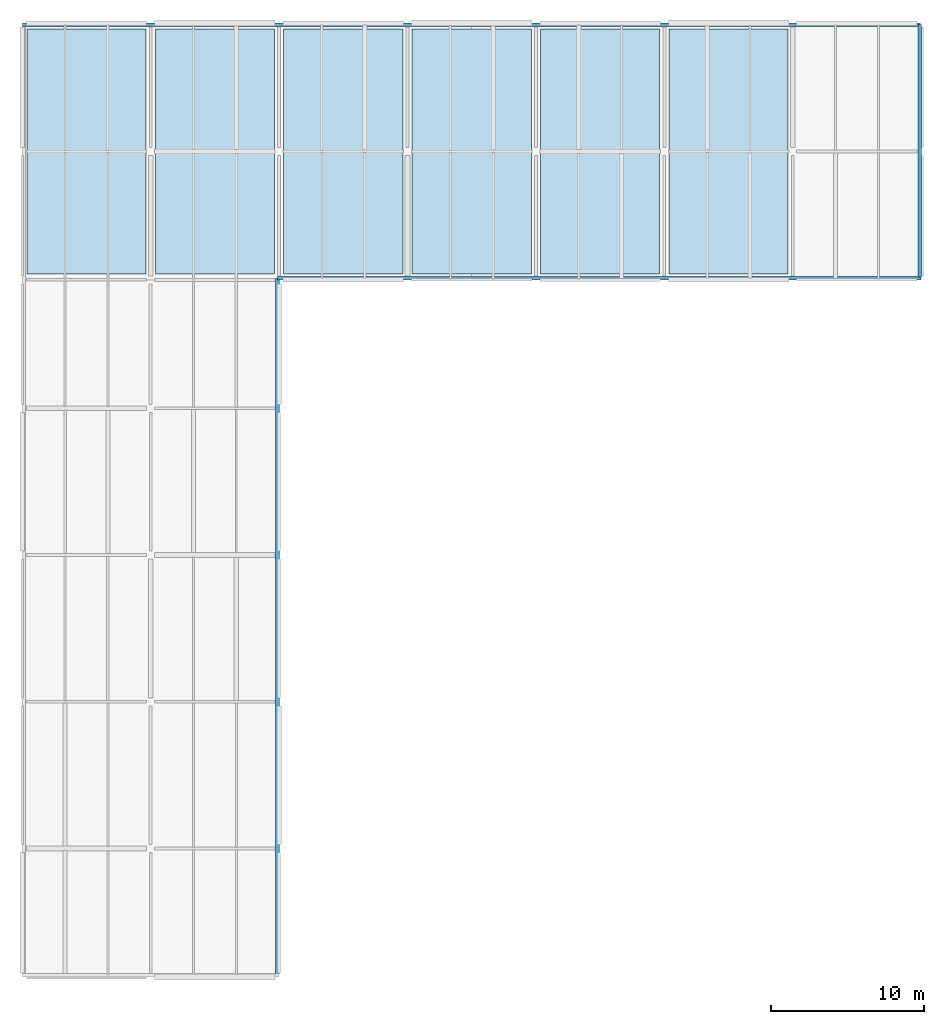
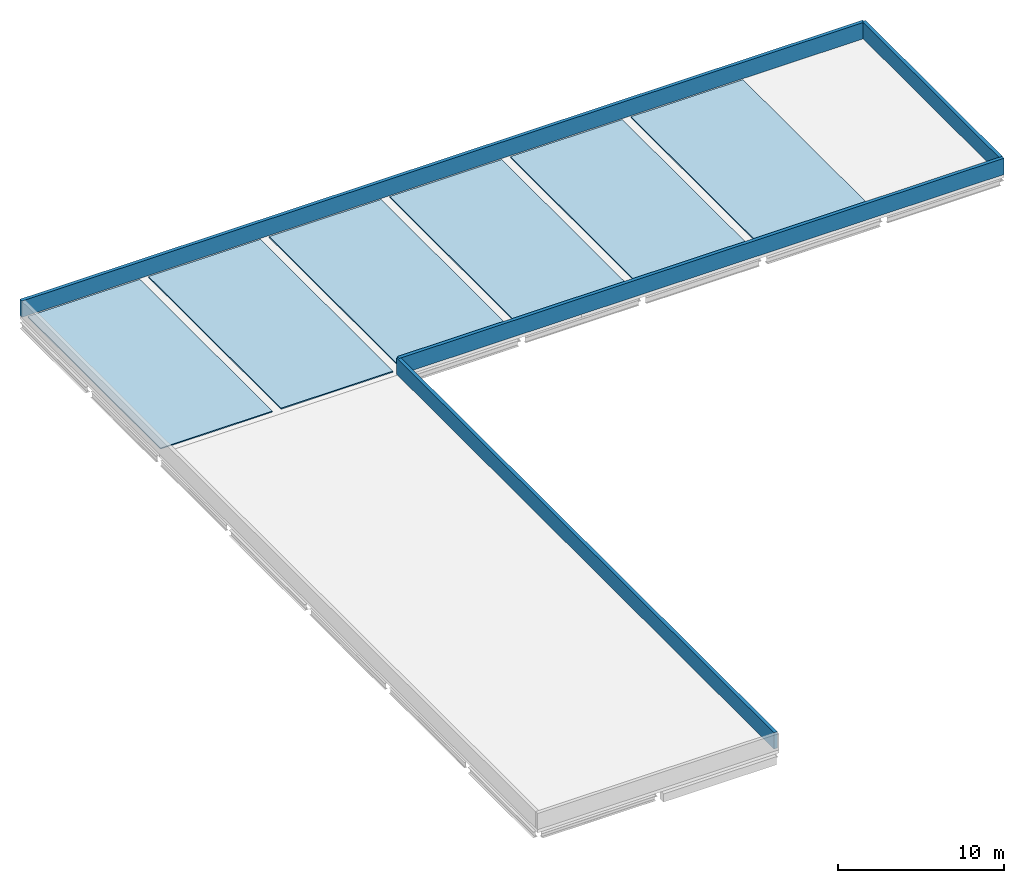
# One storey, part 3 of 3: 6 roofs, 4 walls.
"""IFC4 building model written with IfcOpenShell, lengths in metres."""

from ifc_helpers import new_model, si_unit, direction, frame, frame_2d, origin, place, context, subcontext, project, spatial, polyline, rectangle, outline, extrude, material, layer, layer_set, type_object, element, save


model = new_model("IFC4")

# Units and contexts
model_context = context("Model", 3, precision=1e-05, world=origin(), true_north=direction((0.0, 1.0)))
body_context = subcontext(model_context, "Body", "Model", "MODEL_VIEW")
ifc_project = project(units=[si_unit("LENGTHUNIT", "METRE"), si_unit("AREAUNIT", "SQUARE_METRE"), si_unit("VOLUMEUNIT", "CUBIC_METRE"), si_unit("PLANEANGLEUNIT", "RADIAN"), si_unit("MASSUNIT", "GRAM", prefix="KILO")], contexts=[model_context])

# Site, building, storey
site_placement = place(None, origin())
site = spatial("IfcSite", under=ifc_project, at=site_placement, CompositionType="ELEMENT")
building_placement = place(site_placement, origin())
building = spatial("IfcBuilding", under=site, at=building_placement, Name="Zulmaris Art Gallery", CompositionType="ELEMENT")
storey_placement = place(building_placement, frame((0.0, 0.0, 30.89990234375)))
storey = spatial("IfcBuildingStorey", under=building, at=storey_placement, Name="RF", CompositionType="ELEMENT", Elevation=30.89990234375)

# Walls
ifc_material_1 = material(Name="Fluted Cast Stone Parapet", Category="masonry")
ifc_layer_1 = layer(ifc_material_1, 0.239990234375)
ifc_layer_set_1 = layer_set([ifc_layer_1], Name="Fluted Cast Stone Parapet")
wall_type = type_object("IfcWallType", Name="ENV-WALL-PR02", PredefinedType="PARAPET", material=ifc_layer_set_1)
wall_1_placement = place(storey_placement, frame((158.300048828125, 13.39990234375, 0.0), z_axis=(0.0, 0.0, 1.0), x_axis=(0.0, 1.0, 0.0)))
element("IfcWall", 1, at=wall_1_placement, inside=storey, type_object=wall_type, Name="RF Limestone Roof Parapet 9", PredefinedType="PARAPET", context=body_context, shape_type="SweptSolid", body=[
    extrude(rectangle(XDim=45.5, YDim=0.239990234375, at=frame_2d((22.75, 0.0))), origin(), (0.0, 0.0, 1.0), 1.2001953125),
])
wall_2_placement = place(storey_placement, frame((158.300048828125, 58.89990234375, 0.0), z_axis=(0.0, 0.0, 1.0), x_axis=(1.0, 0.0, 0.0)))
element("IfcWall", 2, at=wall_2_placement, inside=storey, type_object=wall_type, Name="RF Limestone Roof Parapet 10", PredefinedType="PARAPET", context=body_context, shape_type="SweptSolid", body=[
    extrude(rectangle(XDim=42.099853515625, YDim=0.239990234375, at=frame_2d((21.0498046875, 0.0))), origin(), (0.0, 0.0, 1.0), 1.2001953125),
])
wall_3_placement = place(storey_placement, frame((200.300048828125, 59.0, 0.0), z_axis=(0.0, 0.0, 1.0), x_axis=(0.0, 1.0, 0.0)))
element("IfcWall", 3, at=wall_3_placement, inside=storey, type_object=wall_type, Name="RF Limestone Roof Parapet 11", PredefinedType="PARAPET", context=body_context, shape_type="SweptSolid", body=[
    extrude(rectangle(XDim=16.5, YDim=0.239990234375, at=frame_2d((8.25, 0.0))), origin(), (0.0, 0.0, 1.0), 1.2001953125),
])
wall_4_placement = place(storey_placement, frame((141.60009765625, 75.5, 0.0), z_axis=(0.0, 0.0, 1.0), x_axis=(1.0, 0.0, 0.0)))
element("IfcWall", 4, at=wall_4_placement, inside=storey, type_object=wall_type, Name="RF Limestone Roof Parapet 12", PredefinedType="PARAPET", context=body_context, shape_type="SweptSolid", body=[
    extrude(rectangle(XDim=58.699951171875, YDim=0.239990234375, at=frame_2d((29.35009765625, 0.0))), origin(), (0.0, 0.0, 1.0), 1.2001953125),
])

# Roofs
ifc_material_2 = material(Name="Insulated Limestone Ballasted Roof", Category="masonry")
ifc_layer_2 = layer(ifc_material_2, 0.080078125)
ifc_layer_set_2 = layer_set([ifc_layer_2], Name="Insulated Limestone Ballasted Roof")
roof_type = type_object("IfcRoofType", Name="ROOF-RF-FLT", PredefinedType="FLAT_ROOF", material=ifc_layer_set_2)
roof_1_placement = place(storey_placement, origin())
element("IfcRoof", 5, at=roof_1_placement, inside=storey, type_object=roof_type, Name="V5 Upper Flat Insulated Roof 1", PredefinedType="FLAT_ROOF", context=body_context, shape_type="SweptSolid", body=[
    extrude(outline(polyline([(141.89990234375, 59.199951171875), (149.699951171875, 59.199951171875), (149.699951171875, 75.199951171875), (141.89990234375, 75.199951171875), (141.89990234375, 59.199951171875)])), origin(), (0.0, 0.0, 1.0), 0.080078125),
])
roof_2_placement = place(storey_placement, origin())
element("IfcRoof", 6, at=roof_2_placement, inside=storey, type_object=roof_type, Name="V5 Upper Flat Insulated Roof 2", PredefinedType="FLAT_ROOF", context=body_context, shape_type="SweptSolid", body=[
    extrude(outline(polyline([(150.300048828125, 59.199951171875), (158.10009765625, 59.199951171875), (158.10009765625, 75.199951171875), (150.300048828125, 75.199951171875), (150.300048828125, 59.199951171875)])), origin(), (0.0, 0.0, 1.0), 0.080078125),
])
roof_3_placement = place(storey_placement, origin())
element("IfcRoof", 7, at=roof_3_placement, inside=storey, type_object=roof_type, Name="V5 Upper Flat Insulated Roof 3", PredefinedType="FLAT_ROOF", context=body_context, shape_type="SweptSolid", body=[
    extrude(outline(polyline([(158.699951171875, 59.199951171875), (166.5, 59.199951171875), (166.5, 75.199951171875), (158.699951171875, 75.199951171875), (158.699951171875, 59.199951171875)])), origin(), (0.0, 0.0, 1.0), 0.080078125),
])
roof_4_placement = place(storey_placement, origin())
element("IfcRoof", 8, at=roof_4_placement, inside=storey, type_object=roof_type, Name="V5 Upper Flat Insulated Roof 4", PredefinedType="FLAT_ROOF", context=body_context, shape_type="SweptSolid", body=[
    extrude(outline(polyline([(167.10009765625, 59.199951171875), (174.89990234375, 59.199951171875), (174.89990234375, 75.199951171875), (167.10009765625, 75.199951171875), (167.10009765625, 59.199951171875)])), origin(), (0.0, 0.0, 1.0), 0.080078125),
])
roof_5_placement = place(storey_placement, origin())
element("IfcRoof", 9, at=roof_5_placement, inside=storey, type_object=roof_type, Name="V5 Upper Flat Insulated Roof 5", PredefinedType="FLAT_ROOF", context=body_context, shape_type="SweptSolid", body=[
    extrude(outline(polyline([(175.5, 59.199951171875), (183.300048828125, 59.199951171875), (183.300048828125, 75.199951171875), (175.5, 75.199951171875), (175.5, 59.199951171875)])), origin(), (0.0, 0.0, 1.0), 0.080078125),
])
roof_6_placement = place(storey_placement, origin())
element("IfcRoof", 10, at=roof_6_placement, inside=storey, type_object=roof_type, Name="V5 Upper Flat Insulated Roof 6", PredefinedType="FLAT_ROOF", context=body_context, shape_type="SweptSolid", body=[
    extrude(outline(polyline([(183.89990234375, 59.199951171875), (191.699951171875, 59.199951171875), (191.699951171875, 75.199951171875), (183.89990234375, 75.199951171875), (183.89990234375, 59.199951171875)])), origin(), (0.0, 0.0, 1.0), 0.080078125),
])

save(model, "model.ifc")
